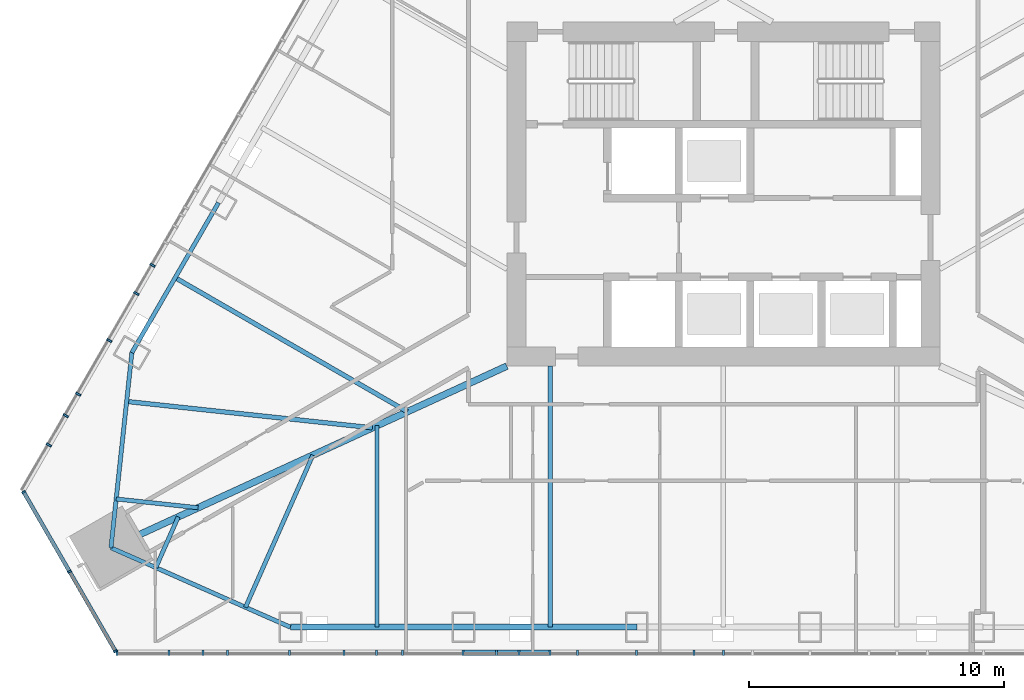
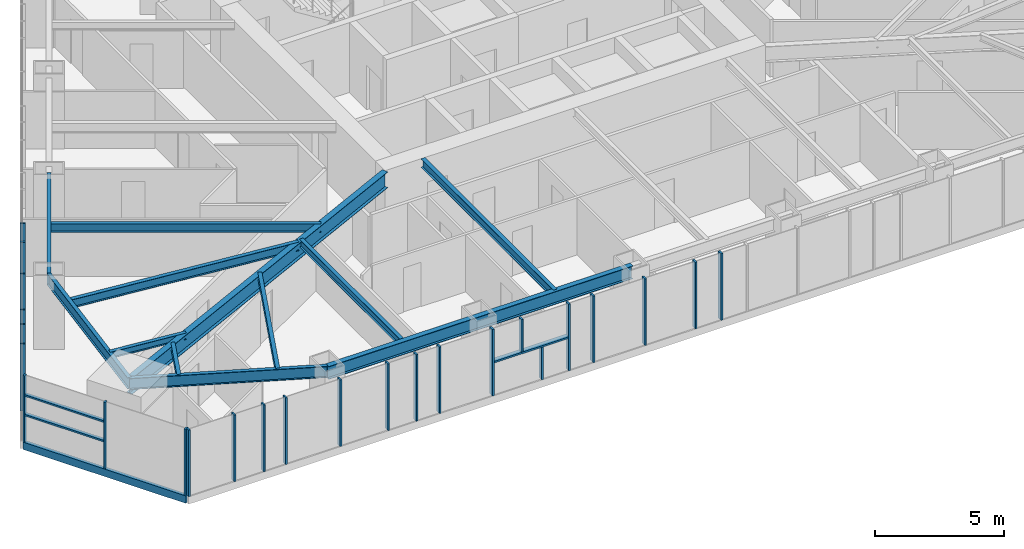
# One storey, part 2 of 19: 29 members, 12 beams, 3 elements without a shape of their own.
"""IFC4 building model written with IfcOpenShell, lengths in metres."""

from ifc_helpers import new_model, si_unit, direction, frame, origin, origin_2d, place, context, subcontext, project, spatial, rectangle, i_section, extrude, material, layer, layer_set, material_profile, profile_set, type_object, element, aggregate, save


model = new_model("IFC4")

# Units and contexts
model_context = context("Model", 3, precision=1e-05, world=origin(), true_north=direction((0.0, 1.0)))
body_context = subcontext(model_context, "Body", "Model", "MODEL_VIEW")
ifc_project = project(units=[si_unit("LENGTHUNIT", "METRE"), si_unit("AREAUNIT", "SQUARE_METRE"), si_unit("VOLUMEUNIT", "CUBIC_METRE"), si_unit("PLANEANGLEUNIT", "RADIAN"), si_unit("MASSUNIT", "GRAM", prefix="KILO")], contexts=[model_context])

# Site, building, storey
site_placement = place(None, origin())
site = spatial("IfcSite", under=ifc_project, at=site_placement, CompositionType="ELEMENT")
building_placement = place(site_placement, origin())
building = spatial("IfcBuilding", under=site, at=building_placement, Name="Firuza Gate Tower and Library", CompositionType="ELEMENT")
storey_placement = place(building_placement, frame((0.0, 0.0, 256.60009765625)))
storey = spatial("IfcBuildingStorey", under=building, at=storey_placement, Name="L60", CompositionType="ELEMENT", Elevation=256.60009765625)

# Curtain wall, members
ifc_material_1 = material(Name="Aluminium 6063-T6", Category="aluminium")
ifc_layer_1 = layer(ifc_material_1, 0.14990234375)
ifc_layer_set_1 = layer_set([ifc_layer_1], Name="Corner curtain wall, chamfers")
curtain_wall_type_1 = type_object("IfcCurtainWallType", Name="Corner curtain wall, chamfers", PredefinedType="NOTDEFINED", material=ifc_layer_set_1)
placement = place(storey_placement, origin())
curtain_wall_1 = element("IfcCurtainWall", 1, at=placement, inside=storey, type_object=curtain_wall_type_1, Name="CW4 L60 SW corner", PredefinedType="NOTDEFINED")
ifc_material_2 = material(Name="Aluminium 6063-T6", Category="aluminium")
ifc_material_profile_1 = material_profile(ifc_material_2, rectangle(XDim=0.14990234375, YDim=0.080078125, at=origin_2d()))
ifc_profile_set_1 = profile_set([ifc_material_profile_1], Name="Aluminium 6063-T6")
member_type_1 = type_object("IfcMemberType", Name="Curtain wall mullion 80x150", PredefinedType="MULLION", material=ifc_profile_set_1)
member_1_placement = place(storey_placement, frame((47.533447265625, 63.302978515625, 0.14990234375), z_axis=(0.0, 0.0, 1.0), x_axis=(0.866025403784, 0.5, 0.0)))
member_1 = element("IfcMember", 2, at=member_1_placement, type_object=member_type_1, Name="Mullion", PredefinedType="MULLION", context=body_context, shape_type="SweptSolid", body=[
    extrude(rectangle(XDim=0.14990234375, YDim=0.080078125, at=origin_2d()), origin(), (0.0, 0.0, 1.0), 3.14990234375),
])
member_2_placement = place(storey_placement, frame((49.3349609375, 60.182373046875, 0.14990234375), z_axis=(0.0, 0.0, 1.0), x_axis=(0.866025403784, 0.5, 0.0)))
member_2 = element("IfcMember", 3, at=member_2_placement, type_object=member_type_1, Name="Mullion", PredefinedType="MULLION", context=body_context, shape_type="SweptSolid", body=[
    extrude(rectangle(XDim=0.14990234375, YDim=0.080078125, at=origin_2d()), origin(), (0.0, 0.0, 1.0), 3.14990234375),
])
member_3_placement = place(storey_placement, frame((51.13671875, 57.061767578125, 0.14990234375), z_axis=(0.0, 0.0, 1.0), x_axis=(0.866025403784, 0.5, 0.0)))
member_3 = element("IfcMember", 4, at=member_3_placement, type_object=member_type_1, Name="Mullion", PredefinedType="MULLION", context=body_context, shape_type="SweptSolid", body=[
    extrude(rectangle(XDim=0.14990234375, YDim=0.080078125, at=origin_2d()), origin(), (0.0, 0.0, 1.0), 3.14990234375),
])

ifc_material_3 = material(Name="Aluminium 6063-T6", Category="aluminium")
ifc_layer_2 = layer(ifc_material_3, 0.14990234375)
ifc_layer_set_2 = layer_set([ifc_layer_2], Name="Unitised curtain wall, residences")
curtain_wall_type_2 = type_object("IfcCurtainWallType", Name="Unitised curtain wall, residences", PredefinedType="NOTDEFINED", material=ifc_layer_set_2)
curtain_wall_2 = element("IfcCurtainWall", 5, at=placement, inside=storey, type_object=curtain_wall_type_2, Name="CW3 L60 S face", PredefinedType="NOTDEFINED")
ifc_material_4 = material(Name="Aluminium 6063-T6", Category="aluminium")
ifc_material_profile_2 = material_profile(ifc_material_4, rectangle(XDim=0.219970703125, YDim=0.080078125, at=origin_2d()))
ifc_profile_set_2 = profile_set([ifc_material_profile_2], Name="Aluminium 6063-T6")
member_type_2 = type_object("IfcMemberType", Name="Curtain wall mullion 80x220", PredefinedType="MULLION", material=ifc_profile_set_2)
member_4_placement = place(storey_placement, frame((51.19677734375, 56.9921875, 0.14990234375), z_axis=(0.0, 0.0, 1.0), x_axis=(0.0, 1.0, 0.0)))
member_4 = element("IfcMember", 6, at=member_4_placement, type_object=member_type_2, Name="Mullion", PredefinedType="MULLION", context=body_context, shape_type="SweptSolid", body=[
    extrude(rectangle(XDim=0.219970703125, YDim=0.080078125, at=origin_2d()), origin(), (0.0, 0.0, 1.0), 3.14990234375),
])
member_5_placement = place(storey_placement, frame((54.56298828125, 56.9921875, 0.14990234375), z_axis=(0.0, 0.0, 1.0), x_axis=(0.0, 1.0, 0.0)))
member_5 = element("IfcMember", 7, at=member_5_placement, type_object=member_type_2, Name="Mullion", PredefinedType="MULLION", context=body_context, shape_type="SweptSolid", body=[
    extrude(rectangle(XDim=0.219970703125, YDim=0.080078125, at=origin_2d()), origin(), (0.0, 0.0, 1.0), 3.14990234375),
])
member_6_placement = place(storey_placement, frame((57.968994140625, 56.9921875, 0.14990234375), z_axis=(0.0, 0.0, 1.0), x_axis=(0.0, 1.0, 0.0)))
member_6 = element("IfcMember", 8, at=member_6_placement, type_object=member_type_2, Name="Mullion", PredefinedType="MULLION", context=body_context, shape_type="SweptSolid", body=[
    extrude(rectangle(XDim=0.219970703125, YDim=0.080078125, at=origin_2d()), origin(), (0.0, 0.0, 1.0), 3.14990234375),
])
member_7_placement = place(storey_placement, frame((61.375244140625, 56.9921875, 0.14990234375), z_axis=(0.0, 0.0, 1.0), x_axis=(0.0, 1.0, 0.0)))
member_7 = element("IfcMember", 9, at=member_7_placement, type_object=member_type_2, Name="Mullion", PredefinedType="MULLION", context=body_context, shape_type="SweptSolid", body=[
    extrude(rectangle(XDim=0.219970703125, YDim=0.080078125, at=origin_2d()), origin(), (0.0, 0.0, 1.0), 3.14990234375),
])
member_8_placement = place(storey_placement, frame((64.781494140625, 56.9921875, 0.14990234375), z_axis=(0.0, 0.0, 1.0), x_axis=(0.0, 1.0, 0.0)))
member_8 = element("IfcMember", 10, at=member_8_placement, type_object=member_type_2, Name="Mullion", PredefinedType="MULLION", context=body_context, shape_type="SweptSolid", body=[
    extrude(rectangle(XDim=0.219970703125, YDim=0.080078125, at=origin_2d()), origin(), (0.0, 0.0, 1.0), 3.14990234375),
])
member_9_placement = place(storey_placement, frame((68.187744140625, 56.9921875, 0.14990234375), z_axis=(0.0, 0.0, 1.0), x_axis=(0.0, 1.0, 0.0)))
member_9 = element("IfcMember", 11, at=member_9_placement, type_object=member_type_2, Name="Mullion", PredefinedType="MULLION", context=body_context, shape_type="SweptSolid", body=[
    extrude(rectangle(XDim=0.219970703125, YDim=0.080078125, at=origin_2d()), origin(), (0.0, 0.0, 1.0), 3.14990234375),
])
member_10_placement = place(storey_placement, frame((71.59375, 56.9921875, 0.14990234375), z_axis=(0.0, 0.0, 1.0), x_axis=(0.0, 1.0, 0.0)))
member_10 = element("IfcMember", 12, at=member_10_placement, type_object=member_type_2, Name="Mullion", PredefinedType="MULLION", context=body_context, shape_type="SweptSolid", body=[
    extrude(rectangle(XDim=0.219970703125, YDim=0.080078125, at=origin_2d()), origin(), (0.0, 0.0, 1.0), 3.14990234375),
])
member_11_placement = place(storey_placement, frame((75.0, 56.9921875, 0.14990234375), z_axis=(0.0, 0.0, 1.0), x_axis=(0.0, 1.0, 0.0)))
member_11 = element("IfcMember", 13, at=member_11_placement, type_object=member_type_2, Name="Mullion", PredefinedType="MULLION", context=body_context, shape_type="SweptSolid", body=[
    extrude(rectangle(XDim=0.219970703125, YDim=0.080078125, at=origin_2d()), origin(), (0.0, 0.0, 1.0), 3.14990234375),
])
member_12_placement = place(storey_placement, frame((53.23583984375, 56.9921875, 0.14990234375), z_axis=(0.0, 0.0, 1.0), x_axis=(0.0, 1.0, 0.0)))
member_12 = element("IfcMember", 14, at=member_12_placement, type_object=member_type_2, Name="Mullion", PredefinedType="MULLION", context=body_context, shape_type="SweptSolid", body=[
    extrude(rectangle(XDim=0.219970703125, YDim=0.080078125, at=origin_2d()), origin(), (0.0, 0.0, 1.0), 3.14990234375),
])
member_13_placement = place(storey_placement, frame((55.535400390625, 56.9921875, 0.14990234375), z_axis=(0.0, 0.0, 1.0), x_axis=(0.0, 1.0, 0.0)))
member_13 = element("IfcMember", 15, at=member_13_placement, type_object=member_type_2, Name="Mullion", PredefinedType="MULLION", context=body_context, shape_type="SweptSolid", body=[
    extrude(rectangle(XDim=0.219970703125, YDim=0.080078125, at=origin_2d()), origin(), (0.0, 0.0, 1.0), 3.14990234375),
])
member_14_placement = place(storey_placement, frame((60.107421875, 56.9921875, 0.14990234375), z_axis=(0.0, 0.0, 1.0), x_axis=(0.0, 1.0, 0.0)))
member_14 = element("IfcMember", 16, at=member_14_placement, type_object=member_type_2, Name="Mullion", PredefinedType="MULLION", context=body_context, shape_type="SweptSolid", body=[
    extrude(rectangle(XDim=0.219970703125, YDim=0.080078125, at=origin_2d()), origin(), (0.0, 0.0, 1.0), 3.14990234375),
])
member_15_placement = place(storey_placement, frame((62.406982421875, 56.9921875, 0.14990234375), z_axis=(0.0, 0.0, 1.0), x_axis=(0.0, 1.0, 0.0)))
member_15 = element("IfcMember", 17, at=member_15_placement, type_object=member_type_2, Name="Mullion", PredefinedType="MULLION", context=body_context, shape_type="SweptSolid", body=[
    extrude(rectangle(XDim=0.219970703125, YDim=0.080078125, at=origin_2d()), origin(), (0.0, 0.0, 1.0), 3.14990234375),
])
member_16_placement = place(storey_placement, frame((66.978759765625, 56.9921875, 0.14990234375), z_axis=(0.0, 0.0, 1.0), x_axis=(0.0, 1.0, 0.0)))
member_16 = element("IfcMember", 18, at=member_16_placement, type_object=member_type_2, Name="Mullion", PredefinedType="MULLION", context=body_context, shape_type="SweptSolid", body=[
    extrude(rectangle(XDim=0.219970703125, YDim=0.080078125, at=origin_2d()), origin(), (0.0, 0.0, 1.0), 1.534912109375),
])
member_17_placement = place(storey_placement, frame((66.091064453125, 56.9921875, 1.764892578125), z_axis=(0.0, 0.0, 1.0), x_axis=(0.0, 1.0, 0.0)))
member_17 = element("IfcMember", 19, at=member_17_placement, type_object=member_type_2, Name="Mullion", PredefinedType="MULLION", context=body_context, shape_type="SweptSolid", body=[
    extrude(rectangle(XDim=0.219970703125, YDim=0.080078125, at=origin_2d()), origin(), (0.0, 0.0, 1.0), 1.534912109375),
])
member_18_placement = place(storey_placement, frame((69.2783203125, 56.9921875, 0.14990234375), z_axis=(0.0, 0.0, 1.0), x_axis=(0.0, 1.0, 0.0)))
member_18 = element("IfcMember", 20, at=member_18_placement, type_object=member_type_2, Name="Mullion", PredefinedType="MULLION", context=body_context, shape_type="SweptSolid", body=[
    extrude(rectangle(XDim=0.219970703125, YDim=0.080078125, at=origin_2d()), origin(), (0.0, 0.0, 1.0), 3.14990234375),
])
member_19_placement = place(storey_placement, frame((73.850341796875, 56.9921875, 0.14990234375), z_axis=(0.0, 0.0, 1.0), x_axis=(0.0, 1.0, 0.0)))
member_19 = element("IfcMember", 21, at=member_19_placement, type_object=member_type_2, Name="Mullion", PredefinedType="MULLION", context=body_context, shape_type="SweptSolid", body=[
    extrude(rectangle(XDim=0.219970703125, YDim=0.080078125, at=origin_2d()), origin(), (0.0, 0.0, 1.0), 3.14990234375),
])

curtain_wall_3 = element("IfcCurtainWall", 22, at=placement, inside=storey, type_object=curtain_wall_type_2, Name="CW3 L60 W face", PredefinedType="NOTDEFINED")
member_20_placement = place(storey_placement, frame((52.59228515625, 72.20458984375, 0.14990234375), z_axis=(0.0, 0.0, 1.0), x_axis=(0.866025403784, -0.5, 0.0)))
member_20 = element("IfcMember", 23, at=member_20_placement, type_object=member_type_2, Name="Mullion", PredefinedType="MULLION", context=body_context, shape_type="SweptSolid", body=[
    extrude(rectangle(XDim=0.219970703125, YDim=0.080078125, at=origin_2d()), origin(), (0.0, 0.0, 1.0), 3.14990234375),
])
member_21_placement = place(storey_placement, frame((50.88916015625, 69.254638671875, 0.14990234375), z_axis=(0.0, 0.0, 1.0), x_axis=(0.866025403784, -0.5, 0.0)))
member_21 = element("IfcMember", 24, at=member_21_placement, type_object=member_type_2, Name="Mullion", PredefinedType="MULLION", context=body_context, shape_type="SweptSolid", body=[
    extrude(rectangle(XDim=0.219970703125, YDim=0.080078125, at=origin_2d()), origin(), (0.0, 0.0, 1.0), 3.14990234375),
])
member_22_placement = place(storey_placement, frame((49.186279296875, 66.304931640625, 0.14990234375), z_axis=(0.0, 0.0, 1.0), x_axis=(0.866025403784, -0.5, 0.0)))
member_22 = element("IfcMember", 25, at=member_22_placement, type_object=member_type_2, Name="Mullion", PredefinedType="MULLION", context=body_context, shape_type="SweptSolid", body=[
    extrude(rectangle(XDim=0.219970703125, YDim=0.080078125, at=origin_2d()), origin(), (0.0, 0.0, 1.0), 3.14990234375),
])
member_23_placement = place(storey_placement, frame((51.95849609375, 71.1064453125, 0.14990234375), z_axis=(0.0, 0.0, 1.0), x_axis=(0.866025403784, -0.5, 0.0)))
member_23 = element("IfcMember", 26, at=member_23_placement, type_object=member_type_2, Name="Mullion", PredefinedType="MULLION", context=body_context, shape_type="SweptSolid", body=[
    extrude(rectangle(XDim=0.219970703125, YDim=0.080078125, at=origin_2d()), origin(), (0.0, 0.0, 1.0), 3.14990234375),
])
member_24_placement = place(storey_placement, frame((49.67236328125, 67.147216796875, 0.14990234375), z_axis=(0.0, 0.0, 1.0), x_axis=(0.866025403784, -0.5, 0.0)))
member_24 = element("IfcMember", 27, at=member_24_placement, type_object=member_type_2, Name="Mullion", PredefinedType="MULLION", context=body_context, shape_type="SweptSolid", body=[
    extrude(rectangle(XDim=0.219970703125, YDim=0.080078125, at=origin_2d()), origin(), (0.0, 0.0, 1.0), 3.14990234375),
])
member_25_placement = place(storey_placement, frame((48.522705078125, 65.15576171875, 0.14990234375), z_axis=(0.0, 0.0, 1.0), x_axis=(0.866025403784, -0.5, 0.0)))
member_25 = element("IfcMember", 28, at=member_25_placement, type_object=member_type_2, Name="Mullion", PredefinedType="MULLION", context=body_context, shape_type="SweptSolid", body=[
    extrude(rectangle(XDim=0.219970703125, YDim=0.080078125, at=origin_2d()), origin(), (0.0, 0.0, 1.0), 3.14990234375),
])
aggregate(curtain_wall_3, [member_20, member_21, member_22, member_23, member_24, member_25])

# Member
ifc_material_5 = material(Name="Aluminium 6063-T6", Category="aluminium")
ifc_material_profile_3 = material_profile(ifc_material_5, rectangle(XDim=0.14990234375, YDim=0.35009765625, at=origin_2d()))
ifc_profile_set_3 = profile_set([ifc_material_profile_3], Name="Aluminium 6063-T6")
member_type_3 = type_object("IfcMemberType", Name="Curtain wall transom 350x150", PredefinedType="USERDEFINED", material=ifc_profile_set_3)
member_26_placement = place(storey_placement, frame((47.513427734375, 63.337646484375, -0.025146484375), z_axis=(0.499991211061, -0.866030478021, 0.0), x_axis=(0.866030478021, 0.499991211061, 0.0)))
member_26 = element("IfcMember", 29, at=member_26_placement, type_object=member_type_3, Name="Transom", ObjectType="TRANSOM", PredefinedType="USERDEFINED", context=body_context, shape_type="SweptSolid", body=[
    extrude(rectangle(XDim=0.14990234375, YDim=0.35009765625, at=origin_2d()), origin(), (0.0, 0.0, 1.0), 7.286865234375),
])

ifc_material_6 = material(Name="Aluminium 6063-T6", Category="aluminium")
ifc_material_profile_4 = material_profile(ifc_material_6, rectangle(XDim=0.14990234375, YDim=0.080078125, at=origin_2d()))
ifc_profile_set_4 = profile_set([ifc_material_profile_4], Name="Aluminium 6063-T6")
member_type_4 = type_object("IfcMemberType", Name="Curtain wall transom 80x150", PredefinedType="USERDEFINED", material=ifc_profile_set_4)
member_27_placement = place(storey_placement, frame((47.533447265625, 63.302978515625, 1.449951171875), z_axis=(0.49996364809, -0.866046390552, 0.0), x_axis=(0.866046390552, 0.49996364809, 0.0)))
member_27 = element("IfcMember", 30, at=member_27_placement, type_object=member_type_4, Name="Transom", ObjectType="TRANSOM", PredefinedType="USERDEFINED", context=body_context, shape_type="SweptSolid", body=[
    extrude(rectangle(XDim=0.14990234375, YDim=0.080078125, at=origin_2d()), origin(), (0.0, 0.0, 1.0), 3.563232421875),
])

member_28_placement = place(storey_placement, frame((47.533447265625, 63.302978515625, 2.375), z_axis=(0.49996364809, -0.866046390552, 0.0), x_axis=(0.866046390552, 0.49996364809, 0.0)))
member_28 = element("IfcMember", 31, at=member_28_placement, type_object=member_type_4, Name="Transom", ObjectType="TRANSOM", PredefinedType="USERDEFINED", context=body_context, shape_type="SweptSolid", body=[
    extrude(rectangle(XDim=0.14990234375, YDim=0.080078125, at=origin_2d()), origin(), (0.0, 0.0, 1.0), 3.563232421875),
])

aggregate(curtain_wall_1, [member_1, member_2, member_3, member_26, member_27, member_28])

ifc_material_7 = material(Name="Aluminium 6063-T6", Category="aluminium")
ifc_material_profile_5 = material_profile(ifc_material_7, rectangle(XDim=0.219970703125, YDim=0.080078125, at=origin_2d()))
ifc_profile_set_5 = profile_set([ifc_material_profile_5], Name="Aluminium 6063-T6")
member_type_5 = type_object("IfcMemberType", Name="Curtain wall transom 80x220", PredefinedType="USERDEFINED", material=ifc_profile_set_5)
member_29_placement = place(storey_placement, frame((64.821533203125, 56.9921875, 1.724853515625), z_axis=(1.0, 0.0, 0.0), x_axis=(0.0, 1.0, 0.0)))
member_29 = element("IfcMember", 32, at=member_29_placement, type_object=member_type_5, Name="Transom", ObjectType="TRANSOM", PredefinedType="USERDEFINED", context=body_context, shape_type="SweptSolid", body=[
    extrude(rectangle(XDim=0.219970703125, YDim=0.080078125, at=origin_2d()), origin(), (0.0, 0.0, 1.0), 3.326171875),
])

aggregate(curtain_wall_2, [member_4, member_5, member_6, member_7, member_8, member_9, member_10, member_11, member_12, member_13, member_14, member_15, member_16, member_17, member_29, member_18, member_19])

# Beams
ifc_material_8 = material(Name="Steel S355", Category="steel")
ifc_material_profile_6 = material_profile(ifc_material_8, i_section(OverallWidth=0.1650390625, OverallDepth=0.31005859375, WebThickness=0.005859375, FlangeThickness=0.009765625, at=origin_2d()))
ifc_profile_set_6 = profile_set([ifc_material_profile_6], Name="Steel S355")
beam_type_1 = type_object("IfcBeamType", Name="W310x39 Floor beam", PredefinedType="JOIST", material=ifc_profile_set_6)
beam_1_placement = place(storey_placement, frame((51.1640625, 63.033935546875, 3.14501953125), z_axis=(0.994311438284, -0.106511800745, 0.0), x_axis=(0.106511800745, 0.994311438284, 0.0)))
element("IfcBeam", 33, at=beam_1_placement, inside=storey, type_object=beam_type_1, Name="Floor beam L60 s01", PredefinedType="JOIST", context=body_context, shape_type="SweptSolid", body=[
    extrude(i_section(OverallWidth=0.1650390625, OverallDepth=0.31005859375, WebThickness=0.005859375, FlangeThickness=0.009765625, at=origin_2d()), origin(), (0.0, 0.0, 1.0), 3.234130859375),
])
beam_2_placement = place(storey_placement, frame((52.71923828125, 60.34033203125, 3.14501953125), z_axis=(0.404848514382, 0.914383770855, 0.0), x_axis=(-0.914383770855, 0.404848514382, 0.0)))
element("IfcBeam", 34, at=beam_2_placement, inside=storey, type_object=beam_type_1, Name="Floor beam L60 s10", PredefinedType="JOIST", context=body_context, shape_type="SweptSolid", body=[
    extrude(i_section(OverallWidth=0.1650390625, OverallDepth=0.31005859375, WebThickness=0.005859375, FlangeThickness=0.009765625, at=origin_2d()), origin(), (0.0, 0.0, 1.0), 2.17822265625),
])
beam_3_placement = place(storey_placement, frame((56.23974609375, 58.781494140625, 3.14501953125), z_axis=(0.404862345523, 0.914377646915, 0.0), x_axis=(-0.914377646915, 0.404862345523, 0.0)))
element("IfcBeam", 35, at=beam_3_placement, inside=storey, type_object=beam_type_1, Name="Floor beam L60 s11", PredefinedType="JOIST", context=body_context, shape_type="SweptSolid", body=[
    extrude(i_section(OverallWidth=0.1650390625, OverallDepth=0.31005859375, WebThickness=0.005859375, FlangeThickness=0.009765625, at=origin_2d()), origin(), (0.0, 0.0, 1.0), 6.534423828125),
])
ifc_material_9 = material(Name="Steel S355", Category="steel")
ifc_material_profile_7 = material_profile(ifc_material_9, i_section(OverallWidth=0.1708984375, OverallDepth=0.35498046875, WebThickness=0.007080078125, FlangeThickness=0.01171875, at=origin_2d()))
ifc_profile_set_7 = profile_set([ifc_material_profile_7], Name="Steel S355")
beam_type_2 = type_object("IfcBeamType", Name="W360x51 Floor beam", PredefinedType="JOIST", material=ifc_profile_set_7)
beam_4_placement = place(storey_placement, frame((61.39990234375, 58.002197265625, 3.122314453125), z_axis=(0.0, 1.0, 0.0), x_axis=(-1.0, 0.0, 0.0)))
element("IfcBeam", 36, at=beam_4_placement, inside=storey, type_object=beam_type_2, Name="Floor beam L60 s20", PredefinedType="JOIST", context=body_context, shape_type="SweptSolid", body=[
    extrude(i_section(OverallWidth=0.1708984375, OverallDepth=0.35498046875, WebThickness=0.007080078125, FlangeThickness=0.01171875, at=origin_2d()), origin(), (0.0, 0.0, 1.0), 7.907958984375),
])
ifc_material_10 = material(Name="Steel S355", Category="steel")
ifc_material_profile_8 = material_profile(ifc_material_10, i_section(OverallWidth=0.177978515625, OverallDepth=0.406982421875, WebThickness=0.0078125, FlangeThickness=0.0126953125, at=origin_2d()))
ifc_profile_set_8 = profile_set([ifc_material_profile_8], Name="Steel S355")
beam_type_3 = type_object("IfcBeamType", Name="W410x60 Floor beam", PredefinedType="JOIST", material=ifc_profile_set_8)
beam_5_placement = place(storey_placement, frame((51.57421875, 66.8623046875, 3.096435546875), z_axis=(0.994306107406, -0.106561553924, 0.0), x_axis=(0.106561553924, 0.994306107406, 0.0)))
element("IfcBeam", 37, at=beam_5_placement, inside=storey, type_object=beam_type_3, Name="Floor beam L60 s00", PredefinedType="JOIST", context=body_context, shape_type="SweptSolid", body=[
    extrude(i_section(OverallWidth=0.177978515625, OverallDepth=0.406982421875, WebThickness=0.0078125, FlangeThickness=0.0126953125, at=origin_2d()), origin(), (0.0, 0.0, 1.0), 9.70263671875),
])
beam_6_placement = place(storey_placement, frame((68.199951171875, 58.002197265625, 3.096435546875), z_axis=(0.0, 1.0, 0.0), x_axis=(-1.0, 0.0, 0.0)))
element("IfcBeam", 38, at=beam_6_placement, inside=storey, type_object=beam_type_3, Name="Floor beam L60 s21", PredefinedType="JOIST", context=body_context, shape_type="SweptSolid", body=[
    extrude(i_section(OverallWidth=0.177978515625, OverallDepth=0.406982421875, WebThickness=0.0078125, FlangeThickness=0.0126953125, at=origin_2d()), origin(), (0.0, 0.0, 1.0), 10.247802734375),
])
beam_7_placement = place(storey_placement, frame((53.4794921875, 71.720947265625, 3.096435546875), z_axis=(0.866024898077, -0.500000875909, 0.0), x_axis=(0.500000875909, 0.866024898077, 0.0)))
element("IfcBeam", 39, at=beam_7_placement, inside=storey, type_object=beam_type_3, Name="Floor beam L60 s84", PredefinedType="JOIST", context=body_context, shape_type="SweptSolid", body=[
    extrude(i_section(OverallWidth=0.177978515625, OverallDepth=0.406982421875, WebThickness=0.0078125, FlangeThickness=0.0126953125, at=origin_2d()), origin(), (0.0, 0.0, 1.0), 10.525390625),
])
ifc_material_11 = material(Name="Steel S355", Category="steel")
ifc_material_profile_9 = material_profile(ifc_material_11, i_section(OverallWidth=0.166015625, OverallDepth=0.534912109375, WebThickness=0.01025390625, FlangeThickness=0.0166015625, at=origin_2d()))
ifc_profile_set_9 = profile_set([ifc_material_profile_9], Name="Steel S355")
beam_type_4 = type_object("IfcBeamType", Name="W530x85 Edge beam", PredefinedType="SPANDREL", material=ifc_profile_set_9)
for number, where, z_axis, x_axis, name in (
    (40, (51.779541015625, 68.776611328125, 3.032470703125), (-0.106589095348, -0.994303155357, 0.0), (0.994303155357, -0.106589095348, 0.0), "Edge beam L60 e00"),
    (41, (50.958740234375, 61.119873046875, 3.032470703125), (0.914378062231, -0.404861407534, 0.0), (0.404861407534, 0.914378062231, 0.0), "Edge beam L60 e10"),
):
    element("IfcBeam", number, at=place(storey_placement, frame(where, z_axis=z_axis, x_axis=x_axis)), inside=storey, type_object=beam_type_4, Name=name, PredefinedType="SPANDREL", context=body_context, shape_type="SweptSolid", body=[
        extrude(i_section(OverallWidth=0.166015625, OverallDepth=0.534912109375, WebThickness=0.01025390625, FlangeThickness=0.0166015625, at=origin_2d()), origin(), (0.0, 0.0, 1.0), 7.70068359375),
    ])
beam_8_placement = place(storey_placement, frame((55.179443359375, 74.66552734375, 3.032470703125), z_axis=(-0.499992841449, -0.866029536736, 0.0), x_axis=(0.866029536736, -0.499992841449, 0.0)))
element("IfcBeam", 42, at=beam_8_placement, inside=storey, type_object=beam_type_4, Name="Edge beam L60 e84", PredefinedType="SPANDREL", context=body_context, shape_type="SweptSolid", body=[
    extrude(i_section(OverallWidth=0.166015625, OverallDepth=0.534912109375, WebThickness=0.01025390625, FlangeThickness=0.0166015625, at=origin_2d()), origin(), (0.0, 0.0, 1.0), 6.7998046875),
])
ifc_material_12 = material(Name="Steel S355", Category="steel")
ifc_material_profile_10 = material_profile(ifc_material_12, i_section(OverallWidth=0.22900390625, OverallDepth=0.612060546875, WebThickness=0.011962890625, FlangeThickness=0.01953125, at=origin_2d()))
ifc_profile_set_10 = profile_set([ifc_material_profile_10], Name="Steel S355")
beam_type_5 = type_object("IfcBeamType", Name="W610x125 Edge beam", PredefinedType="SPANDREL", material=ifc_profile_set_10)
beam_9_placement = place(storey_placement, frame((58.0, 58.002197265625, 2.993896484375), z_axis=(1.0, 0.0, 0.0), x_axis=(0.0, 1.0, 0.0)))
element("IfcBeam", 43, at=beam_9_placement, inside=storey, type_object=beam_type_5, Name="Edge beam L60 e20", PredefinedType="SPANDREL", context=body_context, shape_type="SweptSolid", body=[
    extrude(i_section(OverallWidth=0.22900390625, OverallDepth=0.612060546875, WebThickness=0.011962890625, FlangeThickness=0.01953125, at=origin_2d()), origin(), (0.0, 0.0, 1.0), 13.60009765625),
])
ifc_material_13 = material(Name="Steel S355", Category="steel")
ifc_material_profile_11 = material_profile(ifc_material_13, i_section(OverallWidth=0.264892578125, OverallDepth=0.7529296875, WebThickness=0.01318359375, FlangeThickness=0.01708984375, at=origin_2d()))
ifc_profile_set_11 = profile_set([ifc_material_profile_11], Name="Steel S355")
beam_type_6 = type_object("IfcBeamType", Name="W760x147 Girder", PredefinedType="BEAM", material=ifc_profile_set_11)
beam_10_placement = place(storey_placement, frame((50.958740234375, 61.119873046875, 2.92333984375), z_axis=(0.908908599986, 0.416995391907, 0.0), x_axis=(-0.416995391907, 0.908908599986, 0.0)))
element("IfcBeam", 44, at=beam_10_placement, inside=storey, type_object=beam_type_6, Name="Girder L60 gSW", PredefinedType="BEAM", context=body_context, shape_type="SweptSolid", body=[
    extrude(i_section(OverallWidth=0.264892578125, OverallDepth=0.7529296875, WebThickness=0.01318359375, FlangeThickness=0.01708984375, at=origin_2d()), origin(), (0.0, 0.0, 1.0), 17.098876953125),
])

save(model, "model.ifc")
